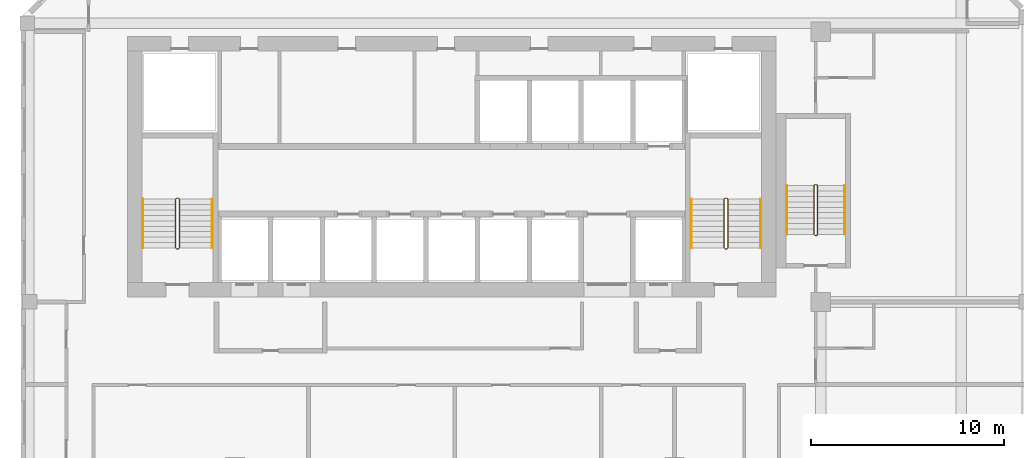
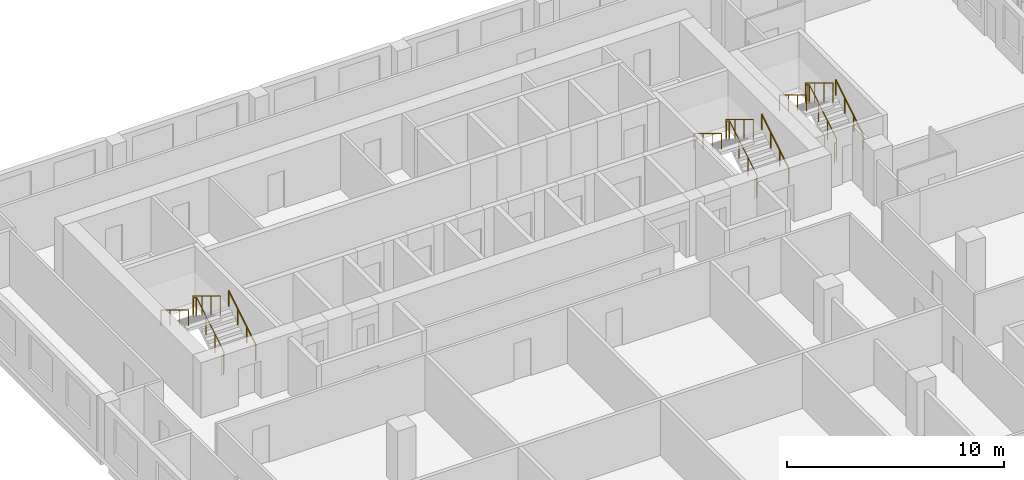
# One storey, part 20 of 21: 9 railings.
"""IFC4 building model written with IfcOpenShell, lengths in metres."""

import ifcopenshell
import ifcopenshell.guid

model = None  # the IFC model being written
_history = None  # IfcOwnerHistory: only IFC2X3 demands one
_inside = {}  # id of a spatial element -> (the spatial element, [elements in it])
_under = {}  # id of a project, library or spatial element -> (it, [spatial elements below it])
_declared = {}  # id of a project -> (the project, [libraries it declares])
_typed = {}  # id of a type object -> (the type object, [elements of that type])
_made_of = {}  # id of a material, layer set ... -> (it, [elements and type objects made of it])


def new_model(schema):
    """Start an empty IFC model of exactly this schema.

    Asked for "IFC4X3", IfcOpenShell would pick the latest addendum, in which some entities
    have other attributes; the version numbers below select the first issue.
    IFC2X3 requires an IfcOwnerHistory on every rooted entity: one is made here for all.
    """
    global model, _history
    if schema == "IFC4X3":
        model = ifcopenshell.file(schema_version=(4, 3, 0, 0))
    else:
        model = ifcopenshell.file(schema=schema)
    _inside.clear()
    _under.clear()
    _declared.clear()
    _typed.clear()
    _made_of.clear()
    _history = None
    if model.schema == "IFC2X3":
        org = make("IfcOrganization", Name="unknown")
        user = make(
            "IfcPersonAndOrganization",
            ThePerson=make("IfcPerson", FamilyName="unknown"),
            TheOrganization=org,
        )
        app = make(
            "IfcApplication",
            ApplicationDeveloper=org,
            Version="unknown",
            ApplicationFullName="unknown",
            ApplicationIdentifier="unknown",
        )
        _history = make(
            "IfcOwnerHistory",
            OwningUser=user,
            OwningApplication=app,
            ChangeAction="ADDED",
            CreationDate=0,
        )
    return model


def make(cls, **values):
    """One entity of the class cls with the attributes given. An attribute that is None is left unset."""
    return model.create_entity(
        cls, **{name: value for name, value in values.items() if value is not None}
    )


def rooted(cls, **values):
    """An entity with a GlobalId (a new one), such as an element, a storey or a relation."""
    return make(cls, GlobalId=ifcopenshell.guid.new(), OwnerHistory=_history, **values)


def si_unit(unit_type, name, prefix=None):
    """IfcSIUnit, for example si_unit("LENGTHUNIT", "METRE", prefix="MILLI")."""
    return make("IfcSIUnit", UnitType=unit_type, Prefix=prefix, Name=name)


def assignment(units):
    """IfcUnitAssignment: the units of a project."""
    return None if units is None else make("IfcUnitAssignment", Units=units)


def point(xyz):
    """IfcCartesianPoint."""
    return None if xyz is None else make("IfcCartesianPoint", Coordinates=xyz)


def direction(xyz):
    """IfcDirection."""
    return None if xyz is None else make("IfcDirection", DirectionRatios=xyz)


def frame(location, z_axis=None, x_axis=None):
    """IfcAxis2Placement3D, a coordinate frame: its origin and axes. An axis left out is left unset."""
    return make(
        "IfcAxis2Placement3D",
        Location=point(location),
        Axis=direction(z_axis),
        RefDirection=direction(x_axis),
    )


def frame_2d(location, x_axis=None):
    """IfcAxis2Placement2D, a coordinate frame in the plane: its origin and x axis."""
    return make(
        "IfcAxis2Placement2D", Location=point(location), RefDirection=direction(x_axis)
    )


def origin():
    """The frame at (0, 0, 0) with its axes left unset."""
    return frame((0.0, 0.0, 0.0))


def origin_2d():
    """The frame at (0, 0) in the plane with its x axis left unset."""
    return frame_2d((0.0, 0.0))


def place(relative_to, where):
    """IfcLocalPlacement: puts the frame where relative to a parent placement (None: the world)."""
    return make(
        "IfcLocalPlacement", PlacementRelTo=relative_to, RelativePlacement=where
    )


def context(
    kind, dimensions, precision=None, world=None, true_north=None, identifier=None
):
    """IfcGeometricRepresentationContext, for example the 3D "Model" context."""
    return make(
        "IfcGeometricRepresentationContext",
        ContextIdentifier=identifier,
        ContextType=kind,
        CoordinateSpaceDimension=dimensions,
        Precision=precision,
        WorldCoordinateSystem=world,
        TrueNorth=true_north,
    )


def subcontext(parent, identifier, kind, view, scale=None):
    """IfcGeometricRepresentationSubContext, for example "Body" below "Model"."""
    return make(
        "IfcGeometricRepresentationSubContext",
        ContextIdentifier=identifier,
        ContextType=kind,
        ParentContext=parent,
        TargetScale=scale,
        TargetView=view,
    )


def project(units=None, contexts=None):
    """IfcProject with its units and contexts."""
    return rooted(
        "IfcProject",
        Name="project",
        RepresentationContexts=contexts,
        UnitsInContext=assignment(units),
    )


def spatial(cls, under=None, at=None, **own):
    """A site, building, storey or space (cls), placed at a placement, below another one or the project."""
    s = rooted(cls, ObjectPlacement=at, **own)
    if under is not None:
        _under.setdefault(under.id(), (under, []))[1].append(s)
    return s


def profile(cls, at=None, kind="AREA", **sizes):
    """A parametric profile (cls). Its sizes go by their IFC names, for example OverallWidth=200.0."""
    return make(cls, ProfileType=kind, Position=at, **sizes)


def circle(**sizes):
    """IfcCircleProfileDef."""
    return profile("IfcCircleProfileDef", **sizes)


def extrude(swept, where, along, depth):
    """IfcExtrudedAreaSolid: the profile swept, set in the frame where, extruded along a direction by depth."""
    return make(
        "IfcExtrudedAreaSolid",
        SweptArea=swept,
        Position=where,
        ExtrudedDirection=direction(along),
        Depth=depth,
    )


def shape(context_of_items, identifier, shape_type, items):
    """IfcShapeRepresentation: the items that make up one representation, for example the "Body"."""
    return make(
        "IfcShapeRepresentation",
        ContextOfItems=context_of_items,
        RepresentationIdentifier=identifier,
        RepresentationType=shape_type,
        Items=items,
    )


def material(Name=None, Category=None):
    """IfcMaterial."""
    return make("IfcMaterial", Name=Name, Category=Category)


def made_of(thing, what):
    """Note that an element or type object is made of a material, layer set ...; save() writes the relation."""
    if what is not None:
        _made_of.setdefault(what.id(), (what, []))[1].append(thing)
    return thing


def type_object(cls, material=None, **own):
    """A type object (cls), such as IfcWallType, which elements share."""
    return made_of(rooted(cls, **own), material)


def element(
    cls,
    number,
    at=None,
    inside=None,
    cuts=None,
    type_object=None,
    material=None,
    context=None,
    identifier="Body",
    shape_type=None,
    held_by="IfcProductDefinitionShape",
    body=None,
    shapes=None,
    **own,
):
    """One element of the class cls, such as IfcWall. Its Tag is "e" and its number.

    at: its placement. inside: the storey or other place that contains it. cuts: it is an
    opening in that element (IfcRelVoidsElement). A single representation is given by context,
    identifier, shape_type and body (its items); several are given by shapes. held_by: the class
    of the entity that holds the representations. save() writes the other relations.
    """
    e = rooted(cls, Tag="e%d" % number, ObjectPlacement=at, **own)
    if body is not None:
        shapes = [shape(context, identifier, shape_type, body)]
    if shapes is not None:
        e.Representation = make(held_by, Representations=shapes)
    if inside is not None:
        _inside.setdefault(inside.id(), (inside, []))[1].append(e)
    if cuts is not None:
        rooted(
            "IfcRelVoidsElement", RelatingBuildingElement=cuts, RelatedOpeningElement=e
        )
    if type_object is not None:
        _typed.setdefault(type_object.id(), (type_object, []))[1].append(e)
    return made_of(e, material)


def aggregate(whole, parts):
    """IfcRelAggregates: a whole, such as a stair, and the parts it consists of."""
    return rooted("IfcRelAggregates", RelatingObject=whole, RelatedObjects=parts)


def save(model, path):
    """Write the relations noted so far, then the file.

    IfcRelAggregates (storeys below a building ...), IfcRelContainedInSpatialStructure (elements
    in a storey), IfcRelDefinesByType, IfcRelAssociatesMaterial and IfcRelDeclares: one each for
    every whole, place, type object, material and project.
    """
    for whole, parts in _under.values():
        aggregate(whole, parts)
    for where, things in _inside.values():
        rooted(
            "IfcRelContainedInSpatialStructure",
            RelatedElements=things,
            RelatingStructure=where,
        )
    for kind, things in _typed.values():
        rooted("IfcRelDefinesByType", RelatedObjects=things, RelatingType=kind)
    for what, things in _made_of.values():
        rooted("IfcRelAssociatesMaterial", RelatedObjects=things, RelatingMaterial=what)
    for by, libraries in _declared.values():
        rooted("IfcRelDeclares", RelatingContext=by, RelatedDefinitions=libraries)
    model.write(path)


model = new_model("IFC4")

# Units and contexts
model_context = context("Model", 3, precision=1e-05, world=origin(), true_north=direction((0.0, 1.0)))
body_context = subcontext(model_context, "Body", "Model", "MODEL_VIEW")
ifc_project = project(units=[si_unit("LENGTHUNIT", "METRE"), si_unit("AREAUNIT", "SQUARE_METRE"), si_unit("VOLUMEUNIT", "CUBIC_METRE"), si_unit("PLANEANGLEUNIT", "RADIAN"), si_unit("MASSUNIT", "GRAM", prefix="KILO")], contexts=[model_context])

# Site, building, storey
site_placement = place(None, origin())
site = spatial("IfcSite", under=ifc_project, at=site_placement, CompositionType="ELEMENT")
building_placement = place(site_placement, origin())
building = spatial("IfcBuilding", under=site, at=building_placement, Name="Kilnfold Tower and Market Hall", CompositionType="ELEMENT")
storey_placement = place(building_placement, frame((0.0, 0.0, 216.89990234375)))
storey = spatial("IfcBuildingStorey", under=building, at=storey_placement, Name="L53", CompositionType="ELEMENT", Elevation=216.89990234375)

# Railings
ifc_material_1 = material(Name="Stainless steel 316", Category="steel")
railing_type_1 = type_object("IfcRailingType", Name="CORE STAIR GUARD 1100", PredefinedType="GUARDRAIL", material=ifc_material_1)
railing_1_placement = place(storey_placement, frame((-13.199951171875, 10.75, 0.0)))
element("IfcRailing", 1, at=railing_1_placement, inside=storey, type_object=railing_type_1, Name="L53 ST1 stair guard 1", PredefinedType="GUARDRAIL", context=body_context, shape_type="SweptSolid", body=[
    extrude(circle(Radius=0.02392578125, at=origin_2d()), frame((0.0, 0.0, 1.076171875), z_axis=(1.0, 0.0, 0.0), x_axis=(0.0, 1.0, 0.0)), (0.0, 0.0, 1.0), 0.099853515625),
    extrude(circle(Radius=0.02392578125, at=origin_2d()), frame((0.099853515625, 0.0, 1.076171875), z_axis=(0.271562723297, 0.271562723297, 0.923313259209), x_axis=(-0.707106781187, 0.707106781187, 0.0)), (0.0, 0.0, 1.0), 0.184326171875),
    extrude(circle(Radius=0.02392578125, at=origin_2d()), frame((0.14990234375, 0.050048828125, 1.24609375), z_axis=(0.0, 0.85478489116, 0.518982456201), x_axis=(-1.0, 0.0, 0.0)), (0.0, 0.0, 1.0), 2.9482421875),
    extrude(circle(Radius=0.02392578125, at=origin_2d()), frame((0.14990234375, 2.570068359375, 2.7763671875), z_axis=(-0.707106781187, 0.707106781187, 0.0), x_axis=(-0.707106781187, -0.707106781187, 0.0)), (0.0, 0.0, 1.0), 0.07080078125),
    extrude(circle(Radius=0.02392578125, at=origin_2d()), frame((0.099853515625, 2.6201171875, 2.7763671875), z_axis=(-1.0, 0.0, 0.0), x_axis=(0.0, -1.0, 0.0)), (0.0, 0.0, 1.0), 0.099853515625),
    extrude(circle(Radius=0.02392578125, at=origin_2d()), frame((0.0, 2.6201171875, 2.7763671875), z_axis=(-0.271895245746, -0.271895245746, 0.923117517265), x_axis=(0.707106781187, -0.707106781187, 0.0)), (0.0, 0.0, 1.0), 0.18408203125),
    extrude(circle(Radius=0.02392578125, at=origin_2d()), frame((-0.050048828125, 2.570068359375, 2.9462890625), z_axis=(0.0, -0.85478489116, 0.518982456201), x_axis=(1.0, 0.0, 0.0)), (0.0, 0.0, 1.0), 2.9482421875),
    extrude(circle(Radius=0.02099609375, at=origin_2d()), origin(), (0.0, 0.0, 1.0), 1.052001953125),
    extrude(circle(Radius=0.02099609375, at=origin_2d()), frame((0.099853515625, 0.0, 0.0)), (0.0, 0.0, 1.0), 1.052001953125),
    extrude(circle(Radius=0.02099609375, at=origin_2d()), frame((0.14990234375, 0.050048828125, 0.170166015625)), (0.0, 0.0, 1.0), 1.052001953125),
    extrude(circle(Radius=0.02099609375, at=origin_2d()), frame((0.14990234375, 0.89013671875, 0.68017578125)), (0.0, 0.0, 1.0), 1.052001953125),
    extrude(circle(Radius=0.02099609375, at=origin_2d()), frame((0.14990234375, 1.72998046875, 1.190185546875)), (0.0, 0.0, 1.0), 1.052001953125),
    extrude(circle(Radius=0.02099609375, at=origin_2d()), frame((0.14990234375, 2.570068359375, 1.7001953125)), (0.0, 0.0, 1.0), 1.052001953125),
    extrude(circle(Radius=0.02099609375, at=origin_2d()), frame((0.099853515625, 2.6201171875, 1.7001953125)), (0.0, 0.0, 1.0), 1.052001953125),
    extrude(circle(Radius=0.02099609375, at=origin_2d()), frame((0.0, 2.6201171875, 1.7001953125)), (0.0, 0.0, 1.0), 1.052001953125),
    extrude(circle(Radius=0.02099609375, at=origin_2d()), frame((-0.050048828125, 2.570068359375, 1.8701171875)), (0.0, 0.0, 1.0), 1.052001953125),
    extrude(circle(Radius=0.02099609375, at=origin_2d()), frame((-0.050048828125, 1.72998046875, 2.380126953125)), (0.0, 0.0, 1.0), 1.052001953125),
    extrude(circle(Radius=0.02099609375, at=origin_2d()), frame((-0.050048828125, 0.89013671875, 2.89013671875)), (0.0, 0.0, 1.0), 1.052001953125),
    extrude(circle(Radius=0.02099609375, at=origin_2d()), frame((-0.050048828125, 0.050048828125, 3.400146484375)), (0.0, 0.0, 1.0), 1.052001953125),
])
railing_2_placement = place(storey_placement, frame((15.199951171875, 10.75, 0.0)))
element("IfcRailing", 2, at=railing_2_placement, inside=storey, type_object=railing_type_1, Name="L53 ST2 stair guard 1", PredefinedType="GUARDRAIL", context=body_context, shape_type="SweptSolid", body=[
    extrude(circle(Radius=0.02392578125, at=origin_2d()), frame((0.0, 0.0, 1.076171875), z_axis=(1.0, 0.0, 0.0), x_axis=(0.0, 1.0, 0.0)), (0.0, 0.0, 1.0), 0.10009765625),
    extrude(circle(Radius=0.02392578125, at=origin_2d()), frame((0.10009765625, 0.0, 1.076171875), z_axis=(0.271562723297, 0.271562723297, 0.923313259209), x_axis=(-0.707106781187, 0.707106781187, 0.0)), (0.0, 0.0, 1.0), 0.184326171875),
    extrude(circle(Radius=0.02392578125, at=origin_2d()), frame((0.150146484375, 0.050048828125, 1.24609375), z_axis=(0.0, 0.85478489116, 0.518982456201), x_axis=(-1.0, 0.0, 0.0)), (0.0, 0.0, 1.0), 2.9482421875),
    extrude(circle(Radius=0.02392578125, at=origin_2d()), frame((0.150146484375, 2.570068359375, 2.7763671875), z_axis=(-0.707106781187, 0.707106781187, 0.0), x_axis=(-0.707106781187, -0.707106781187, 0.0)), (0.0, 0.0, 1.0), 0.07080078125),
    extrude(circle(Radius=0.02392578125, at=origin_2d()), frame((0.10009765625, 2.6201171875, 2.7763671875), z_axis=(-1.0, 0.0, 0.0), x_axis=(0.0, -1.0, 0.0)), (0.0, 0.0, 1.0), 0.10009765625),
    extrude(circle(Radius=0.02392578125, at=origin_2d()), frame((0.0, 2.6201171875, 2.7763671875), z_axis=(-0.271895245746, -0.271895245746, 0.923117517265), x_axis=(0.707106781187, -0.707106781187, 0.0)), (0.0, 0.0, 1.0), 0.18408203125),
    extrude(circle(Radius=0.02392578125, at=origin_2d()), frame((-0.050048828125, 2.570068359375, 2.9462890625), z_axis=(0.0, -0.85478489116, 0.518982456201), x_axis=(1.0, 0.0, 0.0)), (0.0, 0.0, 1.0), 2.9482421875),
    extrude(circle(Radius=0.02099609375, at=origin_2d()), origin(), (0.0, 0.0, 1.0), 1.052001953125),
    extrude(circle(Radius=0.02099609375, at=origin_2d()), frame((0.10009765625, 0.0, 0.0)), (0.0, 0.0, 1.0), 1.052001953125),
    extrude(circle(Radius=0.02099609375, at=origin_2d()), frame((0.150146484375, 0.050048828125, 0.170166015625)), (0.0, 0.0, 1.0), 1.052001953125),
    extrude(circle(Radius=0.02099609375, at=origin_2d()), frame((0.150146484375, 0.89013671875, 0.68017578125)), (0.0, 0.0, 1.0), 1.052001953125),
    extrude(circle(Radius=0.02099609375, at=origin_2d()), frame((0.150146484375, 1.72998046875, 1.190185546875)), (0.0, 0.0, 1.0), 1.052001953125),
    extrude(circle(Radius=0.02099609375, at=origin_2d()), frame((0.150146484375, 2.570068359375, 1.7001953125)), (0.0, 0.0, 1.0), 1.052001953125),
    extrude(circle(Radius=0.02099609375, at=origin_2d()), frame((0.10009765625, 2.6201171875, 1.7001953125)), (0.0, 0.0, 1.0), 1.052001953125),
    extrude(circle(Radius=0.02099609375, at=origin_2d()), frame((0.0, 2.6201171875, 1.7001953125)), (0.0, 0.0, 1.0), 1.052001953125),
    extrude(circle(Radius=0.02099609375, at=origin_2d()), frame((-0.050048828125, 2.570068359375, 1.8701171875)), (0.0, 0.0, 1.0), 1.052001953125),
    extrude(circle(Radius=0.02099609375, at=origin_2d()), frame((-0.050048828125, 1.72998046875, 2.380126953125)), (0.0, 0.0, 1.0), 1.052001953125),
    extrude(circle(Radius=0.02099609375, at=origin_2d()), frame((-0.050048828125, 0.89013671875, 2.89013671875)), (0.0, 0.0, 1.0), 1.052001953125),
    extrude(circle(Radius=0.02099609375, at=origin_2d()), frame((-0.050048828125, 0.050048828125, 3.400146484375)), (0.0, 0.0, 1.0), 1.052001953125),
])
railing_3_placement = place(storey_placement, frame((19.85009765625, 11.449951171875, 0.0)))
element("IfcRailing", 3, at=railing_3_placement, inside=storey, type_object=railing_type_1, Name="L53 ST5 stair guard 1", PredefinedType="GUARDRAIL", context=body_context, shape_type="SweptSolid", body=[
    extrude(circle(Radius=0.02392578125, at=origin_2d()), frame((0.0, 0.0, 1.076171875), z_axis=(1.0, 0.0, 0.0), x_axis=(0.0, 1.0, 0.0)), (0.0, 0.0, 1.0), 0.099853515625),
    extrude(circle(Radius=0.02392578125, at=origin_2d()), frame((0.099853515625, 0.0, 1.076171875), z_axis=(0.271562723297, 0.271562723297, 0.923313259209), x_axis=(-0.707106781187, 0.707106781187, 0.0)), (0.0, 0.0, 1.0), 0.184326171875),
    extrude(circle(Radius=0.02392578125, at=origin_2d()), frame((0.14990234375, 0.050048828125, 1.24609375), z_axis=(0.0, 0.85478489116, 0.518982456201), x_axis=(-1.0, 0.0, 0.0)), (0.0, 0.0, 1.0), 2.9482421875),
    extrude(circle(Radius=0.02392578125, at=origin_2d()), frame((0.14990234375, 2.570068359375, 2.7763671875), z_axis=(-0.707106781187, 0.707106781187, 0.0), x_axis=(-0.707106781187, -0.707106781187, 0.0)), (0.0, 0.0, 1.0), 0.07080078125),
    extrude(circle(Radius=0.02392578125, at=origin_2d()), frame((0.099853515625, 2.6201171875, 2.7763671875), z_axis=(-1.0, 0.0, 0.0), x_axis=(0.0, -1.0, 0.0)), (0.0, 0.0, 1.0), 0.099853515625),
    extrude(circle(Radius=0.02392578125, at=origin_2d()), frame((0.0, 2.6201171875, 2.7763671875), z_axis=(-0.271895245746, -0.271895245746, 0.923117517265), x_axis=(0.707106781187, -0.707106781187, 0.0)), (0.0, 0.0, 1.0), 0.18408203125),
    extrude(circle(Radius=0.02392578125, at=origin_2d()), frame((-0.050048828125, 2.570068359375, 2.9462890625), z_axis=(0.0, -0.85478489116, 0.518982456201), x_axis=(1.0, 0.0, 0.0)), (0.0, 0.0, 1.0), 2.9482421875),
    extrude(circle(Radius=0.02099609375, at=origin_2d()), origin(), (0.0, 0.0, 1.0), 1.052001953125),
    extrude(circle(Radius=0.02099609375, at=origin_2d()), frame((0.099853515625, 0.0, 0.0)), (0.0, 0.0, 1.0), 1.052001953125),
    extrude(circle(Radius=0.02099609375, at=origin_2d()), frame((0.14990234375, 0.050048828125, 0.170166015625)), (0.0, 0.0, 1.0), 1.052001953125),
    extrude(circle(Radius=0.02099609375, at=origin_2d()), frame((0.14990234375, 0.89013671875, 0.68017578125)), (0.0, 0.0, 1.0), 1.052001953125),
    extrude(circle(Radius=0.02099609375, at=origin_2d()), frame((0.14990234375, 1.72998046875, 1.190185546875)), (0.0, 0.0, 1.0), 1.052001953125),
    extrude(circle(Radius=0.02099609375, at=origin_2d()), frame((0.14990234375, 2.570068359375, 1.7001953125)), (0.0, 0.0, 1.0), 1.052001953125),
    extrude(circle(Radius=0.02099609375, at=origin_2d()), frame((0.099853515625, 2.6201171875, 1.7001953125)), (0.0, 0.0, 1.0), 1.052001953125),
    extrude(circle(Radius=0.02099609375, at=origin_2d()), frame((0.0, 2.6201171875, 1.7001953125)), (0.0, 0.0, 1.0), 1.052001953125),
    extrude(circle(Radius=0.02099609375, at=origin_2d()), frame((-0.050048828125, 2.570068359375, 1.8701171875)), (0.0, 0.0, 1.0), 1.052001953125),
    extrude(circle(Radius=0.02099609375, at=origin_2d()), frame((-0.050048828125, 1.72998046875, 2.380126953125)), (0.0, 0.0, 1.0), 1.052001953125),
    extrude(circle(Radius=0.02099609375, at=origin_2d()), frame((-0.050048828125, 0.89013671875, 2.89013671875)), (0.0, 0.0, 1.0), 1.052001953125),
    extrude(circle(Radius=0.02099609375, at=origin_2d()), frame((-0.050048828125, 0.050048828125, 3.400146484375)), (0.0, 0.0, 1.0), 1.052001953125),
])
ifc_material_2 = material(Name="Stainless steel 316", Category="steel")
railing_type_2 = type_object("IfcRailingType", Name="CORE STAIR HANDRAIL 900", PredefinedType="HANDRAIL", material=ifc_material_2)
railing_4_placement = place(storey_placement, frame((-11.35009765625, 10.800048828125, 0.170166015625)))
element("IfcRailing", 4, at=railing_4_placement, inside=storey, type_object=railing_type_2, Name="L53 ST1 stair handrail 1", PredefinedType="HANDRAIL", context=body_context, shape_type="SweptSolid", body=[
    extrude(circle(Radius=0.02392578125, at=origin_2d()), frame((0.0, 0.0, 0.8759765625), z_axis=(0.0, 0.85478489116, 0.518982456201), x_axis=(-1.0, 0.0, 0.0)), (0.0, 0.0, 1.0), 2.9482421875),
    extrude(circle(Radius=0.02099609375, at=origin_2d()), origin(), (0.0, 0.0, 1.0), 0.851806640625),
    extrude(circle(Radius=0.02099609375, at=origin_2d()), frame((0.0, 0.840087890625, 0.510009765625)), (0.0, 0.0, 1.0), 0.851806640625),
    extrude(circle(Radius=0.02099609375, at=origin_2d()), frame((0.0, 1.679931640625, 1.02001953125)), (0.0, 0.0, 1.0), 0.851806640625),
    extrude(circle(Radius=0.02099609375, at=origin_2d()), frame((0.0, 2.52001953125, 1.530029296875)), (0.0, 0.0, 1.0), 0.851806640625),
])
railing_5_placement = place(storey_placement, frame((-14.949951171875, 13.320068359375, 1.8701171875)))
element("IfcRailing", 5, at=railing_5_placement, inside=storey, type_object=railing_type_2, Name="L53 ST1 stair handrail 2", PredefinedType="HANDRAIL", context=body_context, shape_type="SweptSolid", body=[
    extrude(circle(Radius=0.02392578125, at=origin_2d()), frame((0.0, 0.0, 0.8759765625), z_axis=(0.0, -0.85478489116, 0.518982456201), x_axis=(1.0, 0.0, 0.0)), (0.0, 0.0, 1.0), 2.9482421875),
    extrude(circle(Radius=0.02099609375, at=origin_2d()), origin(), (0.0, 0.0, 1.0), 0.851806640625),
    extrude(circle(Radius=0.02099609375, at=origin_2d()), frame((0.0, -0.840087890625, 0.510009765625)), (0.0, 0.0, 1.0), 0.851806640625),
    extrude(circle(Radius=0.02099609375, at=origin_2d()), frame((0.0, -1.679931640625, 1.02001953125)), (0.0, 0.0, 1.0), 0.851806640625),
    extrude(circle(Radius=0.02099609375, at=origin_2d()), frame((0.0, -2.52001953125, 1.530029296875)), (0.0, 0.0, 1.0), 0.851806640625),
])
railing_6_placement = place(storey_placement, frame((17.050048828125, 10.800048828125, 0.170166015625)))
element("IfcRailing", 6, at=railing_6_placement, inside=storey, type_object=railing_type_2, Name="L53 ST2 stair handrail 1", PredefinedType="HANDRAIL", context=body_context, shape_type="SweptSolid", body=[
    extrude(circle(Radius=0.02392578125, at=origin_2d()), frame((0.0, 0.0, 0.8759765625), z_axis=(0.0, 0.85478489116, 0.518982456201), x_axis=(-1.0, 0.0, 0.0)), (0.0, 0.0, 1.0), 2.9482421875),
    extrude(circle(Radius=0.02099609375, at=origin_2d()), origin(), (0.0, 0.0, 1.0), 0.851806640625),
    extrude(circle(Radius=0.02099609375, at=origin_2d()), frame((0.0, 0.840087890625, 0.510009765625)), (0.0, 0.0, 1.0), 0.851806640625),
    extrude(circle(Radius=0.02099609375, at=origin_2d()), frame((0.0, 1.679931640625, 1.02001953125)), (0.0, 0.0, 1.0), 0.851806640625),
    extrude(circle(Radius=0.02099609375, at=origin_2d()), frame((0.0, 2.52001953125, 1.530029296875)), (0.0, 0.0, 1.0), 0.851806640625),
])
railing_7_placement = place(storey_placement, frame((13.449951171875, 13.320068359375, 1.8701171875)))
element("IfcRailing", 7, at=railing_7_placement, inside=storey, type_object=railing_type_2, Name="L53 ST2 stair handrail 2", PredefinedType="HANDRAIL", context=body_context, shape_type="SweptSolid", body=[
    extrude(circle(Radius=0.02392578125, at=origin_2d()), frame((0.0, 0.0, 0.8759765625), z_axis=(0.0, -0.85478489116, 0.518982456201), x_axis=(1.0, 0.0, 0.0)), (0.0, 0.0, 1.0), 2.9482421875),
    extrude(circle(Radius=0.02099609375, at=origin_2d()), origin(), (0.0, 0.0, 1.0), 0.851806640625),
    extrude(circle(Radius=0.02099609375, at=origin_2d()), frame((0.0, -0.840087890625, 0.510009765625)), (0.0, 0.0, 1.0), 0.851806640625),
    extrude(circle(Radius=0.02099609375, at=origin_2d()), frame((0.0, -1.679931640625, 1.02001953125)), (0.0, 0.0, 1.0), 0.851806640625),
    extrude(circle(Radius=0.02099609375, at=origin_2d()), frame((0.0, -2.52001953125, 1.530029296875)), (0.0, 0.0, 1.0), 0.851806640625),
])
railing_8_placement = place(storey_placement, frame((21.39990234375, 11.5, 0.170166015625)))
element("IfcRailing", 8, at=railing_8_placement, inside=storey, type_object=railing_type_2, Name="L53 ST5 stair handrail 1", PredefinedType="HANDRAIL", context=body_context, shape_type="SweptSolid", body=[
    extrude(circle(Radius=0.02392578125, at=origin_2d()), frame((0.0, 0.0, 0.8759765625), z_axis=(0.0, 0.85478489116, 0.518982456201), x_axis=(-1.0, 0.0, 0.0)), (0.0, 0.0, 1.0), 2.9482421875),
    extrude(circle(Radius=0.02099609375, at=origin_2d()), origin(), (0.0, 0.0, 1.0), 0.851806640625),
    extrude(circle(Radius=0.02099609375, at=origin_2d()), frame((0.0, 0.840087890625, 0.510009765625)), (0.0, 0.0, 1.0), 0.851806640625),
    extrude(circle(Radius=0.02099609375, at=origin_2d()), frame((0.0, 1.679931640625, 1.02001953125)), (0.0, 0.0, 1.0), 0.851806640625),
    extrude(circle(Radius=0.02099609375, at=origin_2d()), frame((0.0, 2.52001953125, 1.530029296875)), (0.0, 0.0, 1.0), 0.851806640625),
])
railing_9_placement = place(storey_placement, frame((18.39990234375, 14.02001953125, 1.8701171875)))
element("IfcRailing", 9, at=railing_9_placement, inside=storey, type_object=railing_type_2, Name="L53 ST5 stair handrail 2", PredefinedType="HANDRAIL", context=body_context, shape_type="SweptSolid", body=[
    extrude(circle(Radius=0.02392578125, at=origin_2d()), frame((0.0, 0.0, 0.8759765625), z_axis=(0.0, -0.85478489116, 0.518982456201), x_axis=(1.0, 0.0, 0.0)), (0.0, 0.0, 1.0), 2.9482421875),
    extrude(circle(Radius=0.02099609375, at=origin_2d()), origin(), (0.0, 0.0, 1.0), 0.851806640625),
    extrude(circle(Radius=0.02099609375, at=origin_2d()), frame((0.0, -0.840087890625, 0.510009765625)), (0.0, 0.0, 1.0), 0.851806640625),
    extrude(circle(Radius=0.02099609375, at=origin_2d()), frame((0.0, -1.679931640625, 1.02001953125)), (0.0, 0.0, 1.0), 0.851806640625),
    extrude(circle(Radius=0.02099609375, at=origin_2d()), frame((0.0, -2.52001953125, 1.530029296875)), (0.0, 0.0, 1.0), 0.851806640625),
])

save(model, "model.ifc")
